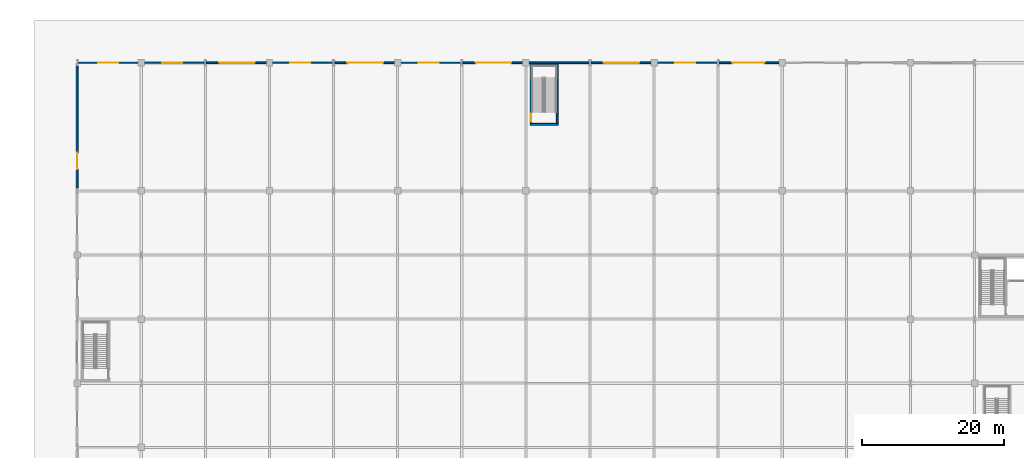
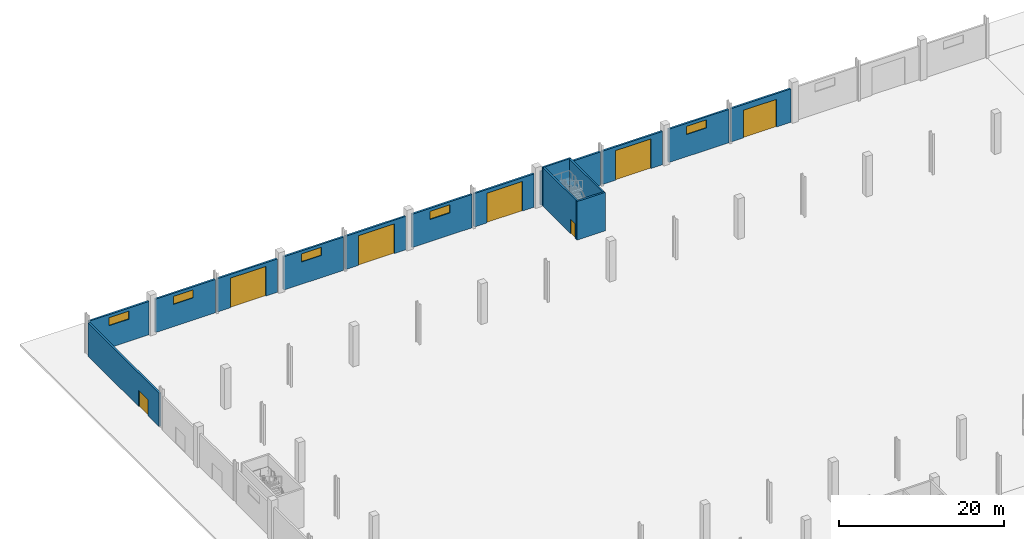
# One storey, part 38 of 58: 16 walls, 7 doors, 5 windows, 12 openings.
"""IFC4 building model written with IfcOpenShell, lengths in metres."""

import ifcopenshell
import ifcopenshell.guid

model = None  # the IFC model being written
_history = None  # IfcOwnerHistory: only IFC2X3 demands one
_inside = {}  # id of a spatial element -> (the spatial element, [elements in it])
_under = {}  # id of a project, library or spatial element -> (it, [spatial elements below it])
_declared = {}  # id of a project -> (the project, [libraries it declares])
_typed = {}  # id of a type object -> (the type object, [elements of that type])
_made_of = {}  # id of a material, layer set ... -> (it, [elements and type objects made of it])


def new_model(schema):
    """Start an empty IFC model of exactly this schema.

    Asked for "IFC4X3", IfcOpenShell would pick the latest addendum, in which some entities
    have other attributes; the version numbers below select the first issue.
    IFC2X3 requires an IfcOwnerHistory on every rooted entity: one is made here for all.
    """
    global model, _history
    if schema == "IFC4X3":
        model = ifcopenshell.file(schema_version=(4, 3, 0, 0))
    else:
        model = ifcopenshell.file(schema=schema)
    _inside.clear()
    _under.clear()
    _declared.clear()
    _typed.clear()
    _made_of.clear()
    _history = None
    if model.schema == "IFC2X3":
        org = make("IfcOrganization", Name="unknown")
        user = make(
            "IfcPersonAndOrganization",
            ThePerson=make("IfcPerson", FamilyName="unknown"),
            TheOrganization=org,
        )
        app = make(
            "IfcApplication",
            ApplicationDeveloper=org,
            Version="unknown",
            ApplicationFullName="unknown",
            ApplicationIdentifier="unknown",
        )
        _history = make(
            "IfcOwnerHistory",
            OwningUser=user,
            OwningApplication=app,
            ChangeAction="ADDED",
            CreationDate=0,
        )
    return model


def make(cls, **values):
    """One entity of the class cls with the attributes given. An attribute that is None is left unset."""
    return model.create_entity(
        cls, **{name: value for name, value in values.items() if value is not None}
    )


def rooted(cls, **values):
    """An entity with a GlobalId (a new one), such as an element, a storey or a relation."""
    return make(cls, GlobalId=ifcopenshell.guid.new(), OwnerHistory=_history, **values)


def si_unit(unit_type, name, prefix=None):
    """IfcSIUnit, for example si_unit("LENGTHUNIT", "METRE", prefix="MILLI")."""
    return make("IfcSIUnit", UnitType=unit_type, Prefix=prefix, Name=name)


def assignment(units):
    """IfcUnitAssignment: the units of a project."""
    return None if units is None else make("IfcUnitAssignment", Units=units)


def point(xyz):
    """IfcCartesianPoint."""
    return None if xyz is None else make("IfcCartesianPoint", Coordinates=xyz)


def direction(xyz):
    """IfcDirection."""
    return None if xyz is None else make("IfcDirection", DirectionRatios=xyz)


def frame(location, z_axis=None, x_axis=None):
    """IfcAxis2Placement3D, a coordinate frame: its origin and axes. An axis left out is left unset."""
    return make(
        "IfcAxis2Placement3D",
        Location=point(location),
        Axis=direction(z_axis),
        RefDirection=direction(x_axis),
    )


def frame_2d(location, x_axis=None):
    """IfcAxis2Placement2D, a coordinate frame in the plane: its origin and x axis."""
    return make(
        "IfcAxis2Placement2D", Location=point(location), RefDirection=direction(x_axis)
    )


def origin():
    """The frame at (0, 0, 0) with its axes left unset."""
    return frame((0.0, 0.0, 0.0))


def place(relative_to, where):
    """IfcLocalPlacement: puts the frame where relative to a parent placement (None: the world)."""
    return make(
        "IfcLocalPlacement", PlacementRelTo=relative_to, RelativePlacement=where
    )


def context(
    kind, dimensions, precision=None, world=None, true_north=None, identifier=None
):
    """IfcGeometricRepresentationContext, for example the 3D "Model" context."""
    return make(
        "IfcGeometricRepresentationContext",
        ContextIdentifier=identifier,
        ContextType=kind,
        CoordinateSpaceDimension=dimensions,
        Precision=precision,
        WorldCoordinateSystem=world,
        TrueNorth=true_north,
    )


def subcontext(parent, identifier, kind, view, scale=None):
    """IfcGeometricRepresentationSubContext, for example "Body" below "Model"."""
    return make(
        "IfcGeometricRepresentationSubContext",
        ContextIdentifier=identifier,
        ContextType=kind,
        ParentContext=parent,
        TargetScale=scale,
        TargetView=view,
    )


def project(units=None, contexts=None):
    """IfcProject with its units and contexts."""
    return rooted(
        "IfcProject",
        Name="project",
        RepresentationContexts=contexts,
        UnitsInContext=assignment(units),
    )


def spatial(cls, under=None, at=None, **own):
    """A site, building, storey or space (cls), placed at a placement, below another one or the project."""
    s = rooted(cls, ObjectPlacement=at, **own)
    if under is not None:
        _under.setdefault(under.id(), (under, []))[1].append(s)
    return s


def profile(cls, at=None, kind="AREA", **sizes):
    """A parametric profile (cls). Its sizes go by their IFC names, for example OverallWidth=200.0."""
    return make(cls, ProfileType=kind, Position=at, **sizes)


def rectangle(**sizes):
    """IfcRectangleProfileDef."""
    return profile("IfcRectangleProfileDef", **sizes)


def extrude(swept, where, along, depth):
    """IfcExtrudedAreaSolid: the profile swept, set in the frame where, extruded along a direction by depth."""
    return make(
        "IfcExtrudedAreaSolid",
        SweptArea=swept,
        Position=where,
        ExtrudedDirection=direction(along),
        Depth=depth,
    )


def shape(context_of_items, identifier, shape_type, items):
    """IfcShapeRepresentation: the items that make up one representation, for example the "Body"."""
    return make(
        "IfcShapeRepresentation",
        ContextOfItems=context_of_items,
        RepresentationIdentifier=identifier,
        RepresentationType=shape_type,
        Items=items,
    )


def material(Name=None, Category=None):
    """IfcMaterial."""
    return make("IfcMaterial", Name=Name, Category=Category)


def layer(
    of_material, thickness, ventilated=None, Name=None, Category=None, Priority=None
):
    """IfcMaterialLayer: one layer of a wall or slab, of a material (None: an air gap)."""
    return make(
        "IfcMaterialLayer",
        Material=of_material,
        LayerThickness=thickness,
        IsVentilated=ventilated,
        Name=Name,
        Category=Category,
        Priority=Priority,
    )


def layer_set(layers, Name=None):
    """IfcMaterialLayerSet."""
    return make("IfcMaterialLayerSet", MaterialLayers=layers, LayerSetName=Name)


def made_of(thing, what):
    """Note that an element or type object is made of a material, layer set ...; save() writes the relation."""
    if what is not None:
        _made_of.setdefault(what.id(), (what, []))[1].append(thing)
    return thing


def type_object(cls, material=None, **own):
    """A type object (cls), such as IfcWallType, which elements share."""
    return made_of(rooted(cls, **own), material)


def element(
    cls,
    number,
    at=None,
    inside=None,
    cuts=None,
    type_object=None,
    material=None,
    context=None,
    identifier="Body",
    shape_type=None,
    held_by="IfcProductDefinitionShape",
    body=None,
    shapes=None,
    **own,
):
    """One element of the class cls, such as IfcWall. Its Tag is "e" and its number.

    at: its placement. inside: the storey or other place that contains it. cuts: it is an
    opening in that element (IfcRelVoidsElement). A single representation is given by context,
    identifier, shape_type and body (its items); several are given by shapes. held_by: the class
    of the entity that holds the representations. save() writes the other relations.
    """
    e = rooted(cls, Tag="e%d" % number, ObjectPlacement=at, **own)
    if body is not None:
        shapes = [shape(context, identifier, shape_type, body)]
    if shapes is not None:
        e.Representation = make(held_by, Representations=shapes)
    if inside is not None:
        _inside.setdefault(inside.id(), (inside, []))[1].append(e)
    if cuts is not None:
        rooted(
            "IfcRelVoidsElement", RelatingBuildingElement=cuts, RelatedOpeningElement=e
        )
    if type_object is not None:
        _typed.setdefault(type_object.id(), (type_object, []))[1].append(e)
    return made_of(e, material)


def fill(opening, filler):
    """IfcRelFillsElement: the door or window that sits in an opening."""
    return rooted(
        "IfcRelFillsElement",
        RelatingOpeningElement=opening,
        RelatedBuildingElement=filler,
    )


def aggregate(whole, parts):
    """IfcRelAggregates: a whole, such as a stair, and the parts it consists of."""
    return rooted("IfcRelAggregates", RelatingObject=whole, RelatedObjects=parts)


def save(model, path):
    """Write the relations noted so far, then the file.

    IfcRelAggregates (storeys below a building ...), IfcRelContainedInSpatialStructure (elements
    in a storey), IfcRelDefinesByType, IfcRelAssociatesMaterial and IfcRelDeclares: one each for
    every whole, place, type object, material and project.
    """
    for whole, parts in _under.values():
        aggregate(whole, parts)
    for where, things in _inside.values():
        rooted(
            "IfcRelContainedInSpatialStructure",
            RelatedElements=things,
            RelatingStructure=where,
        )
    for kind, things in _typed.values():
        rooted("IfcRelDefinesByType", RelatedObjects=things, RelatingType=kind)
    for what, things in _made_of.values():
        rooted("IfcRelAssociatesMaterial", RelatedObjects=things, RelatingMaterial=what)
    for by, libraries in _declared.values():
        rooted("IfcRelDeclares", RelatingContext=by, RelatedDefinitions=libraries)
    model.write(path)


model = new_model("IFC4")

# Units and contexts
model_context = context("Model", 3, precision=1e-05, world=origin(), true_north=direction((0.0, 1.0)))
body_context = subcontext(model_context, "Body", "Model", "MODEL_VIEW")
ifc_project = project(units=[si_unit("LENGTHUNIT", "METRE"), si_unit("AREAUNIT", "SQUARE_METRE"), si_unit("VOLUMEUNIT", "CUBIC_METRE"), si_unit("PLANEANGLEUNIT", "RADIAN"), si_unit("MASSUNIT", "GRAM", prefix="KILO")], contexts=[model_context])

# Site, building, storey
site_placement = place(None, origin())
site = spatial("IfcSite", under=ifc_project, at=site_placement, CompositionType="ELEMENT")
building_placement = place(site_placement, origin())
building = spatial("IfcBuilding", under=site, at=building_placement, Name="Barlavento Convention Centre", CompositionType="ELEMENT")
storey_placement = place(building_placement, origin())
storey = spatial("IfcBuildingStorey", under=building, at=storey_placement, Name="L00", CompositionType="ELEMENT", Elevation=0.0)

# Wall, opening, door
ifc_material_1 = material(Name="Acoustic masonry and PVDF aluminium rainscreen", Category="masonry")
ifc_layer_1 = layer(ifc_material_1, 0.264892578125)
ifc_layer_set_1 = layer_set([ifc_layer_1], Name="ARC-WL-EXT-265")
wall_type_1 = type_object("IfcWallType", Name="ARC-WL-EXT-265", PredefinedType="SOLIDWALL", material=ifc_layer_set_1)
wall_1_placement = place(storey_placement, frame((0.0, 117.402099609375, 0.0), z_axis=(0.0, 0.0, 1.0), x_axis=(0.0, 1.0, 0.0)))
wall_1 = element("IfcWall", 1, at=wall_1_placement, inside=storey, type_object=wall_type_1, Name="L00 exterior wall EW03", PredefinedType="SOLIDWALL", context=body_context, shape_type="SweptSolid", body=[
    extrude(rectangle(XDim=17.19580078125, YDim=0.264892578125, at=frame_2d((8.597900390625, 0.0))), origin(), (0.0, 0.0, 1.0), 4.949951171875),
])
opening_1_placement = place(wall_1_placement, frame((2.64794921875, 0.0, 0.0)))
opening_1 = element("IfcOpeningElement", 2, at=opening_1_placement, cuts=wall_1, Name="Opening EX-37", PredefinedType="OPENING", context=body_context, shape_type="SweptSolid", body=[
    extrude(rectangle(XDim=2.300048828125, YDim=2.39990234375, at=frame_2d((1.14990234375, 1.199951171875))), frame((0.0, 0.142333984375, 0.0), z_axis=(0.0, -1.0, 0.0), x_axis=(1.0, 0.0, 0.0)), (0.0, 0.0, 1.0), 0.284912109375),
])
ifc_material_2 = material(Name="Anodized aluminium and tempered glass", Category="aluminium")
door_type_1 = type_object("IfcDoorType", Name="ARC-DR-EXIT-2300X2400", OperationType="DOUBLE_DOOR_SINGLE_SWING", PredefinedType="DOOR", material=ifc_material_2)
door_1_placement = place(opening_1_placement, origin())
door_1 = element("IfcDoor", 3, at=door_1_placement, inside=storey, type_object=door_type_1, Name="DR-EXT-L00-0037 Exhibition pedestrian exit door EX-37", OperationType="DOUBLE_DOOR_SINGLE_SWING", OverallHeight=2.39990234375, OverallWidth=2.300048828125, PredefinedType="DOOR", context=body_context, shape_type="SweptSolid", body=[
    extrude(rectangle(XDim=2.300048828125, YDim=2.39990234375, at=frame_2d((1.14990234375, 1.199951171875))), frame((0.0, 0.02490234375, 0.0), z_axis=(0.0, -1.0, 0.0), x_axis=(1.0, 0.0, 0.0)), (0.0, 0.0, 1.0), 0.050048828125),
])
fill(opening_1, door_1)

# Wall, opening, window
wall_2_placement = place(storey_placement, frame((0.146484375, 135.0, 0.0), z_axis=(0.0, 0.0, 1.0), x_axis=(1.0, 0.0, 0.0)))
wall_2 = element("IfcWall", 4, at=wall_2_placement, inside=storey, type_object=wall_type_1, Name="L00 exterior wall EW03", PredefinedType="SOLIDWALL", context=body_context, shape_type="SweptSolid", body=[
    extrude(rectangle(XDim=8.408447265625, YDim=0.264892578125, at=frame_2d((4.2041015625, 0.0))), origin(), (0.0, 0.0, 1.0), 4.949951171875),
])
opening_2_placement = place(wall_2_placement, frame((2.803466796875, 0.0, 3.300048828125)))
opening_2 = element("IfcOpeningElement", 5, at=opening_2_placement, cuts=wall_2, Name="Opening WN16", PredefinedType="OPENING", context=body_context, shape_type="SweptSolid", body=[
    extrude(rectangle(XDim=2.800048828125, YDim=1.199951171875, at=frame_2d((1.39990234375, 0.60009765625))), frame((0.0, 0.142333984375, 0.0), z_axis=(0.0, -1.0, 0.0), x_axis=(1.0, 0.0, 0.0)), (0.0, 0.0, 1.0), 0.284912109375),
])
ifc_material_3 = material(Name="Double-silver Low-E insulated glass", Category="glass")
window_type = type_object("IfcWindowType", Name="ARC-WN-CLER-2800X1200", PartitioningType="DOUBLE_PANEL_VERTICAL", PredefinedType="WINDOW", material=ifc_material_3)
window_1_placement = place(opening_2_placement, origin())
window_1 = element("IfcWindow", 6, at=window_1_placement, inside=storey, type_object=window_type, Name="L00 exterior Low-E window WN16", OverallHeight=1.199951171875, OverallWidth=2.800048828125, PartitioningType="SINGLE_PANEL", PredefinedType="WINDOW", context=body_context, shape_type="SweptSolid", body=[
    extrude(rectangle(XDim=2.800048828125, YDim=1.199951171875, at=frame_2d((1.39990234375, 0.60009765625))), frame((0.0, 0.030029296875, 0.0), z_axis=(0.0, -1.0, 0.0), x_axis=(1.0, 0.0, 0.0)), (0.0, 0.0, 1.0), 0.06005859375),
])
fill(opening_2, window_1)

wall_3_placement = place(storey_placement, frame((9.445068359375, 135.0, 0.0), z_axis=(0.0, 0.0, 1.0), x_axis=(1.0, 0.0, 0.0)))
wall_3 = element("IfcWall", 7, at=wall_3_placement, inside=storey, type_object=wall_type_1, Name="L00 exterior wall EW03", PredefinedType="SOLIDWALL", context=body_context, shape_type="SweptSolid", body=[
    extrude(rectangle(XDim=8.408447265625, YDim=0.264892578125, at=frame_2d((4.2041015625, 0.0))), origin(), (0.0, 0.0, 1.0), 4.949951171875),
])
opening_3_placement = place(wall_3_placement, frame((2.5048828125, 0.0, 3.300048828125)))
opening_3 = element("IfcOpeningElement", 8, at=opening_3_placement, cuts=wall_3, Name="Opening WN16", PredefinedType="OPENING", context=body_context, shape_type="SweptSolid", body=[
    extrude(rectangle(XDim=2.800048828125, YDim=1.199951171875, at=frame_2d((1.39990234375, 0.60009765625))), frame((0.0, 0.142333984375, 0.0), z_axis=(0.0, -1.0, 0.0), x_axis=(1.0, 0.0, 0.0)), (0.0, 0.0, 1.0), 0.284912109375),
])
window_2_placement = place(opening_3_placement, origin())
window_2 = element("IfcWindow", 9, at=window_2_placement, inside=storey, type_object=window_type, Name="L00 exterior Low-E window WN16", OverallHeight=1.199951171875, OverallWidth=2.800048828125, PartitioningType="SINGLE_PANEL", PredefinedType="WINDOW", context=body_context, shape_type="SweptSolid", body=[
    extrude(rectangle(XDim=2.800048828125, YDim=1.199951171875, at=frame_2d((1.39990234375, 0.60009765625))), frame((0.0, 0.030029296875, 0.0), z_axis=(0.0, -1.0, 0.0), x_axis=(1.0, 0.0, 0.0)), (0.0, 0.0, 1.0), 0.06005859375),
])
fill(opening_3, window_2)

# Wall, opening, door
wall_4_placement = place(storey_placement, frame((18.146484375, 135.0, 0.0), z_axis=(0.0, 0.0, 1.0), x_axis=(1.0, 0.0, 0.0)))
wall_4 = element("IfcWall", 10, at=wall_4_placement, inside=storey, type_object=wall_type_1, Name="L00 exterior wall EW03", PredefinedType="SOLIDWALL", context=body_context, shape_type="SweptSolid", body=[
    extrude(rectangle(XDim=8.408447265625, YDim=0.264892578125, at=frame_2d((4.2041015625, 0.0))), origin(), (0.0, 0.0, 1.0), 4.949951171875),
])
opening_4_placement = place(wall_4_placement, frame((1.803466796875, 0.0, 0.0)))
opening_4 = element("IfcOpeningElement", 11, at=opening_4_placement, cuts=wall_4, Name="Opening VG-02", PredefinedType="OPENING", context=body_context, shape_type="SweptSolid", body=[
    extrude(rectangle(XDim=5.0, YDim=4.39990234375, at=frame_2d((2.5, 2.199951171875))), frame((0.0, 0.142333984375, 0.0), z_axis=(0.0, -1.0, 0.0), x_axis=(1.0, 0.0, 0.0)), (0.0, 0.0, 1.0), 0.284912109375),
])
ifc_material_4 = material(Name="Painted galvanized steel", Category="steel")
door_type_2 = type_object("IfcDoorType", Name="ARC-DR-VGATE-5000X4400", OperationType="ROLLINGUP", PredefinedType="GATE", material=ifc_material_4)
door_2_placement = place(opening_4_placement, origin())
door_2 = element("IfcDoor", 12, at=door_2_placement, inside=storey, type_object=door_type_2, Name="DR-EXT-L00-0052 Exhibition heavy lorry freight roller shutter VG-02", OperationType="ROLLINGUP", OverallHeight=4.39990234375, OverallWidth=5.0, PredefinedType="GATE", context=body_context, shape_type="SweptSolid", body=[
    extrude(rectangle(XDim=5.0, YDim=4.39990234375, at=frame_2d((2.5, 2.199951171875))), frame((0.0, 0.02490234375, 0.0), z_axis=(0.0, -1.0, 0.0), x_axis=(1.0, 0.0, 0.0)), (0.0, 0.0, 1.0), 0.050048828125),
])
fill(opening_4, door_2)

# Wall, opening, window
wall_5_placement = place(storey_placement, frame((27.445068359375, 135.0, 0.0), z_axis=(0.0, 0.0, 1.0), x_axis=(1.0, 0.0, 0.0)))
wall_5 = element("IfcWall", 13, at=wall_5_placement, inside=storey, type_object=wall_type_1, Name="L00 exterior wall EW03", PredefinedType="SOLIDWALL", context=body_context, shape_type="SweptSolid", body=[
    extrude(rectangle(XDim=8.408447265625, YDim=0.264892578125, at=frame_2d((4.2041015625, 0.0))), origin(), (0.0, 0.0, 1.0), 4.949951171875),
])
opening_5_placement = place(wall_5_placement, frame((2.5048828125, 0.0, 3.300048828125)))
opening_5 = element("IfcOpeningElement", 14, at=opening_5_placement, cuts=wall_5, Name="Opening WN16", PredefinedType="OPENING", context=body_context, shape_type="SweptSolid", body=[
    extrude(rectangle(XDim=2.800048828125, YDim=1.199951171875, at=frame_2d((1.39990234375, 0.60009765625))), frame((0.0, 0.142333984375, 0.0), z_axis=(0.0, -1.0, 0.0), x_axis=(1.0, 0.0, 0.0)), (0.0, 0.0, 1.0), 0.284912109375),
])
window_3_placement = place(opening_5_placement, origin())
window_3 = element("IfcWindow", 15, at=window_3_placement, inside=storey, type_object=window_type, Name="L00 exterior Low-E window WN16", OverallHeight=1.199951171875, OverallWidth=2.800048828125, PartitioningType="SINGLE_PANEL", PredefinedType="WINDOW", context=body_context, shape_type="SweptSolid", body=[
    extrude(rectangle(XDim=2.800048828125, YDim=1.199951171875, at=frame_2d((1.39990234375, 0.60009765625))), frame((0.0, 0.030029296875, 0.0), z_axis=(0.0, -1.0, 0.0), x_axis=(1.0, 0.0, 0.0)), (0.0, 0.0, 1.0), 0.06005859375),
])
fill(opening_5, window_3)

# Wall, opening, door
wall_6_placement = place(storey_placement, frame((36.146484375, 135.0, 0.0), z_axis=(0.0, 0.0, 1.0), x_axis=(1.0, 0.0, 0.0)))
wall_6 = element("IfcWall", 16, at=wall_6_placement, inside=storey, type_object=wall_type_1, Name="L00 exterior wall EW03", PredefinedType="SOLIDWALL", context=body_context, shape_type="SweptSolid", body=[
    extrude(rectangle(XDim=8.408447265625, YDim=0.264892578125, at=frame_2d((4.2041015625, 0.0))), origin(), (0.0, 0.0, 1.0), 4.949951171875),
])
opening_6_placement = place(wall_6_placement, frame((1.803466796875, 0.0, 0.0)))
opening_6 = element("IfcOpeningElement", 17, at=opening_6_placement, cuts=wall_6, Name="Opening VG-03", PredefinedType="OPENING", context=body_context, shape_type="SweptSolid", body=[
    extrude(rectangle(XDim=5.0, YDim=4.39990234375, at=frame_2d((2.5, 2.199951171875))), frame((0.0, 0.142333984375, 0.0), z_axis=(0.0, -1.0, 0.0), x_axis=(1.0, 0.0, 0.0)), (0.0, 0.0, 1.0), 0.284912109375),
])
door_3_placement = place(opening_6_placement, origin())
door_3 = element("IfcDoor", 18, at=door_3_placement, inside=storey, type_object=door_type_2, Name="DR-EXT-L00-0053 Exhibition heavy lorry freight roller shutter VG-03", OperationType="ROLLINGUP", OverallHeight=4.39990234375, OverallWidth=5.0, PredefinedType="GATE", context=body_context, shape_type="SweptSolid", body=[
    extrude(rectangle(XDim=5.0, YDim=4.39990234375, at=frame_2d((2.5, 2.199951171875))), frame((0.0, 0.02490234375, 0.0), z_axis=(0.0, -1.0, 0.0), x_axis=(1.0, 0.0, 0.0)), (0.0, 0.0, 1.0), 0.050048828125),
])
fill(opening_6, door_3)

# Wall, opening, window
wall_7_placement = place(storey_placement, frame((45.445068359375, 135.0, 0.0), z_axis=(0.0, 0.0, 1.0), x_axis=(1.0, 0.0, 0.0)))
wall_7 = element("IfcWall", 19, at=wall_7_placement, inside=storey, type_object=wall_type_1, Name="L00 exterior wall EW03", PredefinedType="SOLIDWALL", context=body_context, shape_type="SweptSolid", body=[
    extrude(rectangle(XDim=8.408447265625, YDim=0.264892578125, at=frame_2d((4.2041015625, 0.0))), origin(), (0.0, 0.0, 1.0), 4.949951171875),
])
opening_7_placement = place(wall_7_placement, frame((2.5048828125, 0.0, 3.300048828125)))
opening_7 = element("IfcOpeningElement", 20, at=opening_7_placement, cuts=wall_7, Name="Opening WN16", PredefinedType="OPENING", context=body_context, shape_type="SweptSolid", body=[
    extrude(rectangle(XDim=2.800048828125, YDim=1.199951171875, at=frame_2d((1.39990234375, 0.60009765625))), frame((0.0, 0.142333984375, 0.0), z_axis=(0.0, -1.0, 0.0), x_axis=(1.0, 0.0, 0.0)), (0.0, 0.0, 1.0), 0.284912109375),
])
window_4_placement = place(opening_7_placement, origin())
window_4 = element("IfcWindow", 21, at=window_4_placement, inside=storey, type_object=window_type, Name="L00 exterior Low-E window WN16", OverallHeight=1.199951171875, OverallWidth=2.800048828125, PartitioningType="SINGLE_PANEL", PredefinedType="WINDOW", context=body_context, shape_type="SweptSolid", body=[
    extrude(rectangle(XDim=2.800048828125, YDim=1.199951171875, at=frame_2d((1.39990234375, 0.60009765625))), frame((0.0, 0.030029296875, 0.0), z_axis=(0.0, -1.0, 0.0), x_axis=(1.0, 0.0, 0.0)), (0.0, 0.0, 1.0), 0.06005859375),
])
fill(opening_7, window_4)

# Wall, opening, door
wall_8_placement = place(storey_placement, frame((54.146484375, 135.0, 0.0), z_axis=(0.0, 0.0, 1.0), x_axis=(1.0, 0.0, 0.0)))
wall_8 = element("IfcWall", 22, at=wall_8_placement, inside=storey, type_object=wall_type_1, Name="L00 exterior wall EW03", PredefinedType="SOLIDWALL", context=body_context, shape_type="SweptSolid", body=[
    extrude(rectangle(XDim=8.408447265625, YDim=0.264892578125, at=frame_2d((4.2041015625, 0.0))), origin(), (0.0, 0.0, 1.0), 4.949951171875),
])
opening_8_placement = place(wall_8_placement, frame((1.803466796875, 0.0, 0.0)))
opening_8 = element("IfcOpeningElement", 23, at=opening_8_placement, cuts=wall_8, Name="Opening VG-04", PredefinedType="OPENING", context=body_context, shape_type="SweptSolid", body=[
    extrude(rectangle(XDim=5.0, YDim=4.39990234375, at=frame_2d((2.5, 2.199951171875))), frame((0.0, 0.142333984375, 0.0), z_axis=(0.0, -1.0, 0.0), x_axis=(1.0, 0.0, 0.0)), (0.0, 0.0, 1.0), 0.284912109375),
])
door_4_placement = place(opening_8_placement, origin())
door_4 = element("IfcDoor", 24, at=door_4_placement, inside=storey, type_object=door_type_2, Name="DR-EXT-L00-0054 Exhibition heavy lorry freight roller shutter VG-04", OperationType="ROLLINGUP", OverallHeight=4.39990234375, OverallWidth=5.0, PredefinedType="GATE", context=body_context, shape_type="SweptSolid", body=[
    extrude(rectangle(XDim=5.0, YDim=4.39990234375, at=frame_2d((2.5, 2.199951171875))), frame((0.0, 0.02490234375, 0.0), z_axis=(0.0, -1.0, 0.0), x_axis=(1.0, 0.0, 0.0)), (0.0, 0.0, 1.0), 0.050048828125),
])
fill(opening_8, door_4)

# Wall
wall_9_placement = place(storey_placement, frame((63.445068359375, 135.0, 0.0), z_axis=(0.0, 0.0, 1.0), x_axis=(1.0, 0.0, 0.0)))
element("IfcWall", 25, at=wall_9_placement, inside=storey, type_object=wall_type_1, Name="L00 exterior wall EW03", PredefinedType="SOLIDWALL", context=body_context, shape_type="SweptSolid", body=[
    extrude(rectangle(XDim=8.408447265625, YDim=0.264892578125, at=frame_2d((4.2041015625, 0.0))), origin(), (0.0, 0.0, 1.0), 4.949951171875),
])

# Wall, opening, door
wall_10_placement = place(storey_placement, frame((72.146484375, 135.0, 0.0), z_axis=(0.0, 0.0, 1.0), x_axis=(1.0, 0.0, 0.0)))
wall_10 = element("IfcWall", 26, at=wall_10_placement, inside=storey, type_object=wall_type_1, Name="L00 exterior wall EW03", PredefinedType="SOLIDWALL", context=body_context, shape_type="SweptSolid", body=[
    extrude(rectangle(XDim=8.408447265625, YDim=0.264892578125, at=frame_2d((4.2041015625, 0.0))), origin(), (0.0, 0.0, 1.0), 4.949951171875),
])
opening_9_placement = place(wall_10_placement, frame((1.803466796875, 0.0, 0.0)))
opening_9 = element("IfcOpeningElement", 27, at=opening_9_placement, cuts=wall_10, Name="Opening VG-05", PredefinedType="OPENING", context=body_context, shape_type="SweptSolid", body=[
    extrude(rectangle(XDim=5.0, YDim=4.39990234375, at=frame_2d((2.5, 2.199951171875))), frame((0.0, 0.142333984375, 0.0), z_axis=(0.0, -1.0, 0.0), x_axis=(1.0, 0.0, 0.0)), (0.0, 0.0, 1.0), 0.284912109375),
])
door_5_placement = place(opening_9_placement, origin())
door_5 = element("IfcDoor", 28, at=door_5_placement, inside=storey, type_object=door_type_2, Name="DR-EXT-L00-0055 Exhibition heavy lorry freight roller shutter VG-05", OperationType="ROLLINGUP", OverallHeight=4.39990234375, OverallWidth=5.0, PredefinedType="GATE", context=body_context, shape_type="SweptSolid", body=[
    extrude(rectangle(XDim=5.0, YDim=4.39990234375, at=frame_2d((2.5, 2.199951171875))), frame((0.0, 0.02490234375, 0.0), z_axis=(0.0, -1.0, 0.0), x_axis=(1.0, 0.0, 0.0)), (0.0, 0.0, 1.0), 0.050048828125),
])
fill(opening_9, door_5)

# Wall, opening, window
wall_11_placement = place(storey_placement, frame((81.445068359375, 135.0, 0.0), z_axis=(0.0, 0.0, 1.0), x_axis=(1.0, 0.0, 0.0)))
wall_11 = element("IfcWall", 29, at=wall_11_placement, inside=storey, type_object=wall_type_1, Name="L00 exterior wall EW03", PredefinedType="SOLIDWALL", context=body_context, shape_type="SweptSolid", body=[
    extrude(rectangle(XDim=8.408447265625, YDim=0.264892578125, at=frame_2d((4.2041015625, 0.0))), origin(), (0.0, 0.0, 1.0), 4.949951171875),
])
opening_10_placement = place(wall_11_placement, frame((2.5048828125, 0.0, 3.300048828125)))
opening_10 = element("IfcOpeningElement", 30, at=opening_10_placement, cuts=wall_11, Name="Opening WN16", PredefinedType="OPENING", context=body_context, shape_type="SweptSolid", body=[
    extrude(rectangle(XDim=2.800048828125, YDim=1.199951171875, at=frame_2d((1.39990234375, 0.60009765625))), frame((0.0, 0.142333984375, 0.0), z_axis=(0.0, -1.0, 0.0), x_axis=(1.0, 0.0, 0.0)), (0.0, 0.0, 1.0), 0.284912109375),
])
window_5_placement = place(opening_10_placement, origin())
window_5 = element("IfcWindow", 31, at=window_5_placement, inside=storey, type_object=window_type, Name="L00 exterior Low-E window WN16", OverallHeight=1.199951171875, OverallWidth=2.800048828125, PartitioningType="SINGLE_PANEL", PredefinedType="WINDOW", context=body_context, shape_type="SweptSolid", body=[
    extrude(rectangle(XDim=2.800048828125, YDim=1.199951171875, at=frame_2d((1.39990234375, 0.60009765625))), frame((0.0, 0.030029296875, 0.0), z_axis=(0.0, -1.0, 0.0), x_axis=(1.0, 0.0, 0.0)), (0.0, 0.0, 1.0), 0.06005859375),
])
fill(opening_10, window_5)

# Wall, opening, door
wall_12_placement = place(storey_placement, frame((90.146484375, 135.0, 0.0), z_axis=(0.0, 0.0, 1.0), x_axis=(1.0, 0.0, 0.0)))
wall_12 = element("IfcWall", 32, at=wall_12_placement, inside=storey, type_object=wall_type_1, Name="L00 exterior wall EW03", PredefinedType="SOLIDWALL", context=body_context, shape_type="SweptSolid", body=[
    extrude(rectangle(XDim=8.408447265625, YDim=0.264892578125, at=frame_2d((4.2041015625, 0.0))), origin(), (0.0, 0.0, 1.0), 4.949951171875),
])
opening_11_placement = place(wall_12_placement, frame((1.803466796875, 0.0, 0.0)))
opening_11 = element("IfcOpeningElement", 33, at=opening_11_placement, cuts=wall_12, Name="Opening VG-06", PredefinedType="OPENING", context=body_context, shape_type="SweptSolid", body=[
    extrude(rectangle(XDim=4.60009765625, YDim=4.10009765625, at=frame_2d((2.300048828125, 2.050048828125))), frame((0.0, 0.142333984375, 0.0), z_axis=(0.0, -1.0, 0.0), x_axis=(1.0, 0.0, 0.0)), (0.0, 0.0, 1.0), 0.284912109375),
])
door_type_3 = type_object("IfcDoorType", Name="ARC-DR-VGATE-4600X4100", OperationType="ROLLINGUP", PredefinedType="GATE", material=ifc_material_4)
door_6_placement = place(opening_11_placement, origin())
door_6 = element("IfcDoor", 34, at=door_6_placement, inside=storey, type_object=door_type_3, Name="DR-EXT-L00-0056 Exhibition heavy lorry freight roller shutter VG-06", OperationType="ROLLINGUP", OverallHeight=4.10009765625, OverallWidth=4.60009765625, PredefinedType="GATE", context=body_context, shape_type="SweptSolid", body=[
    extrude(rectangle(XDim=4.60009765625, YDim=4.10009765625, at=frame_2d((2.300048828125, 2.050048828125))), frame((0.0, 0.02490234375, 0.0), z_axis=(0.0, -1.0, 0.0), x_axis=(1.0, 0.0, 0.0)), (0.0, 0.0, 1.0), 0.050048828125),
])
fill(opening_11, door_6)

ifc_material_5 = material(Name="Concrete C50/60", Category="concrete")
ifc_layer_2 = layer(ifc_material_5, 0.25)
ifc_layer_set_2 = layer_set([ifc_layer_2], Name="STR-WL-CORE-250")
wall_type_2 = type_object("IfcWallType", Name="STR-WL-CORE-250", PredefinedType="SHEAR", material=ifc_layer_set_2)
wall_13_placement = place(storey_placement, frame((63.72509765625, 126.469970703125, 0.0), z_axis=(0.0, 0.0, 1.0), x_axis=(0.0, 1.0, 0.0)))
wall_13 = element("IfcWall", 35, at=wall_13_placement, inside=storey, type_object=wall_type_2, Name="L00 interior wall CW-02", PredefinedType="SHEAR", context=body_context, shape_type="SweptSolid", body=[
    extrude(rectangle(XDim=8.06005859375, YDim=0.25, at=frame_2d((4.030029296875, 0.0))), origin(), (0.0, 0.0, 1.0), 5.719970703125),
])
opening_12_placement = place(wall_13_placement, frame((0.25, 0.0, 0.0)))
opening_12 = element("IfcOpeningElement", 36, at=opening_12_placement, cuts=wall_13, Name="Opening FD-03", PredefinedType="OPENING", context=body_context, shape_type="SweptSolid", body=[
    extrude(rectangle(XDim=1.14990234375, YDim=2.14990234375, at=frame_2d((0.574951171875, 1.074951171875))), frame((0.0, 0.135009765625, 0.0), z_axis=(0.0, -1.0, 0.0), x_axis=(1.0, 0.0, 0.0)), (0.0, 0.0, 1.0), 0.27001953125),
])
door_type_4 = type_object("IfcDoorType", Name="ARC-DR-FIRE-1150X2150", OperationType="NOTDEFINED", PredefinedType="DOOR", material=ifc_material_4)
door_7_placement = place(opening_12_placement, origin())
door_7 = element("IfcDoor", 37, at=door_7_placement, inside=storey, type_object=door_type_4, Name="DR-INT-L00-0177 L00 ST13 stair fire door FD-03", OperationType="SINGLE_SWING_LEFT", OverallHeight=2.14990234375, OverallWidth=1.14990234375, PredefinedType="DOOR", context=body_context, shape_type="SweptSolid", body=[
    extrude(rectangle(XDim=1.14990234375, YDim=2.14990234375, at=frame_2d((0.574951171875, 1.074951171875))), frame((0.0, 0.02490234375, 0.0), z_axis=(0.0, -1.0, 0.0), x_axis=(1.0, 0.0, 0.0)), (0.0, 0.0, 1.0), 0.050048828125),
])
fill(opening_12, door_7)

# Walls
wall_14_placement = place(storey_placement, frame((67.4150390625, 126.469970703125, 0.0), z_axis=(0.0, 0.0, 1.0), x_axis=(0.0, 1.0, 0.0)))
element("IfcWall", 38, at=wall_14_placement, inside=storey, type_object=wall_type_2, Name="L00 interior wall CW-02", PredefinedType="SHEAR", context=body_context, shape_type="SweptSolid", body=[
    extrude(rectangle(XDim=8.06005859375, YDim=0.25, at=frame_2d((4.030029296875, 0.0))), origin(), (0.0, 0.0, 1.0), 5.719970703125),
])
for number, where, z_axis, x_axis, name in (
    (39, (63.60009765625, 126.344970703125, 0.0), (0.0, 0.0, 1.0), (1.0, 0.0, 0.0), "L00 interior wall CW-02"),
    (40, (63.60009765625, 134.655029296875, 0.0), (0.0, 0.0, 1.0), (1.0, 0.0, 0.0), "L00 interior wall CW-02"),
):
    element("IfcWall", number, at=place(storey_placement, frame(where, z_axis=z_axis, x_axis=x_axis)), inside=storey, type_object=wall_type_2, Name=name, PredefinedType="SHEAR", context=body_context, shape_type="SweptSolid", body=[
        extrude(rectangle(XDim=3.93994140625, YDim=0.25, at=frame_2d((1.969970703125, 0.0))), origin(), (0.0, 0.0, 1.0), 5.719970703125),
    ])

save(model, "model.ifc")
